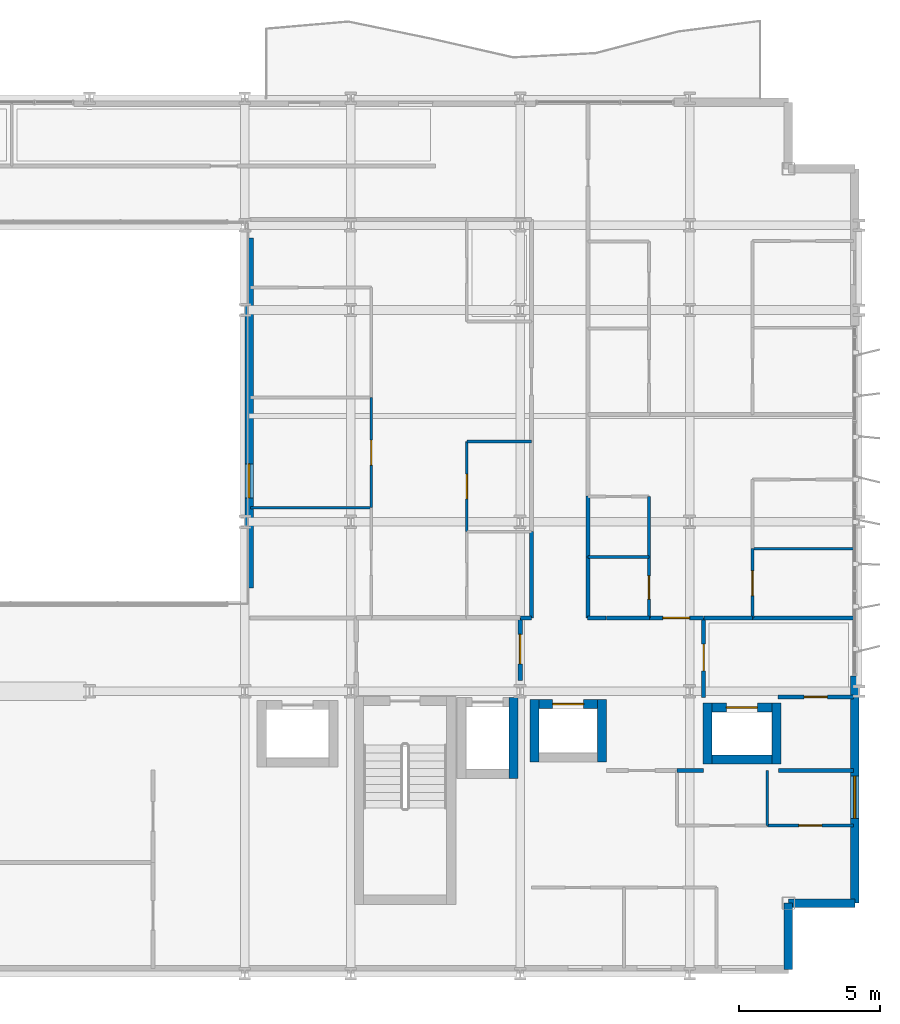
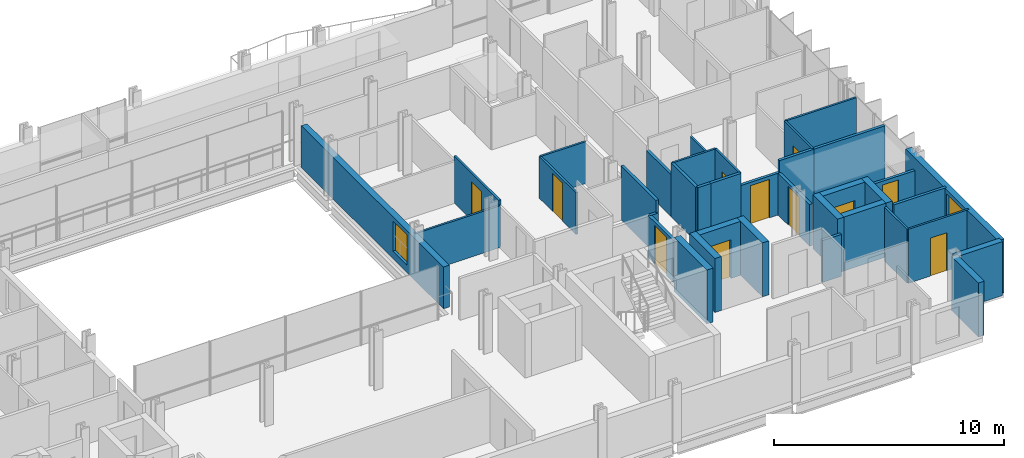
# One storey, part 31 of 38: 37 walls, 11 doors, 2 windows, 13 openings.
"""IFC4 building model written with IfcOpenShell, lengths in metres."""

from ifc_helpers import new_model, si_unit, direction, frame, frame_2d, origin, place, context, subcontext, project, spatial, rectangle, extrude, material, layer, layer_set, type_object, element, fill, save


model = new_model("IFC4")

# Units and contexts
model_context = context("Model", 3, precision=1e-05, world=origin(), true_north=direction((0.0, 1.0)))
body_context = subcontext(model_context, "Body", "Model", "MODEL_VIEW")
ifc_project = project(units=[si_unit("LENGTHUNIT", "METRE"), si_unit("AREAUNIT", "SQUARE_METRE"), si_unit("VOLUMEUNIT", "CUBIC_METRE"), si_unit("PLANEANGLEUNIT", "RADIAN"), si_unit("MASSUNIT", "GRAM", prefix="KILO")], contexts=[model_context])

# Site, building, storey
site_placement = place(None, origin())
site = spatial("IfcSite", under=ifc_project, at=site_placement, CompositionType="ELEMENT")
building_placement = place(site_placement, origin())
building = spatial("IfcBuilding", under=site, at=building_placement, Name="Brevholm Reach", CompositionType="ELEMENT")
storey_placement = place(building_placement, frame((0.0, 0.0, 46.60009765625)))
storey = spatial("IfcBuildingStorey", under=building, at=storey_placement, Name="L12", CompositionType="ELEMENT", Elevation=46.60009765625)

# Walls
ifc_material_1 = material(Name="Concrete C60/75", Category="concrete")
ifc_layer_1 = layer(ifc_material_1, 0.320068359375)
ifc_layer_set_1 = layer_set([ifc_layer_1], Name="Concrete C60/75")
wall_type_1 = type_object("IfcWallType", Name="WAL-COR-320", PredefinedType="SHEAR", material=ifc_layer_set_1)
wall_1_placement = place(storey_placement, frame((47.77001953125, 6.919921875, 0.0), z_axis=(0.0, 0.0, 1.0), x_axis=(0.0, 1.0, 0.0)))
element("IfcWall", 1, at=wall_1_placement, inside=storey, type_object=wall_type_1, Name="L12 Lift FFL-2 Shaft Wall E", PredefinedType="SHEAR", context=body_context, shape_type="SweptSolid", body=[
    extrude(rectangle(XDim=2.860107421875, YDim=0.320068359375, at=frame_2d((1.43017578125, 0.0))), origin(), (0.0, 0.0, 1.0), 2.869873046875),
])
for number, where, z_axis, x_axis, name in (
    (2, (48.5048828125, 7.4951171875, 0.0), (0.0, 0.0, 1.0), (0.0, 1.0, 0.0), "L12 Lift PL-L1 Shaft Wall W"),
    (3, (50.89501953125, 7.4951171875, 0.0), (0.0, 0.0, 1.0), (0.0, 1.0, 0.0), "L12 Lift PL-L1 Shaft Wall E"),
):
    element("IfcWall", number, at=place(storey_placement, frame(where, z_axis=z_axis, x_axis=x_axis)), inside=storey, type_object=wall_type_1, Name=name, PredefinedType="SHEAR", context=body_context, shape_type="SweptSolid", body=[
        extrude(rectangle(XDim=2.2099609375, YDim=0.320068359375, at=frame_2d((1.10498046875, 0.0))), origin(), (0.0, 0.0, 1.0), 2.869873046875),
    ])

# Wall, opening, door
wall_2_placement = place(storey_placement, frame((48.6650390625, 9.544921875, 0.0), z_axis=(0.0, 0.0, 1.0), x_axis=(1.0, 0.0, 0.0)))
wall_2 = element("IfcWall", 4, at=wall_2_placement, inside=storey, type_object=wall_type_1, Name="L12 Lift PL-L1 Shaft Wall N", PredefinedType="SHEAR", context=body_context, shape_type="SweptSolid", body=[
    extrude(rectangle(XDim=2.070068359375, YDim=0.320068359375, at=frame_2d((1.03515625, 0.0))), origin(), (0.0, 0.0, 1.0), 2.869873046875),
])
opening_1_placement = place(wall_2_placement, frame((0.485107421875, 0.0, 0.0)))
opening_1 = element("IfcOpeningElement", 5, at=opening_1_placement, cuts=wall_2, Name="Opening LD-PL-L1", PredefinedType="OPENING", context=body_context, shape_type="SweptSolid", body=[
    extrude(rectangle(XDim=1.10009765625, YDim=2.06005859375, at=frame_2d((0.550048828125, 1.030029296875))), frame((0.0, 0.169921875, 0.0), z_axis=(0.0, -1.0, 0.0), x_axis=(1.0, 0.0, 0.0)), (0.0, 0.0, 1.0), 0.340087890625),
])
ifc_material_2 = material(Name="Brushed Stainless Steel Fire-Rated Sliding Lift Door", Category="steel")
door_type_1 = type_object("IfcDoorType", Name="DOR-LFT-1100", OperationType="NOTDEFINED", PredefinedType="DOOR", material=ifc_material_2)
door_1_placement = place(opening_1_placement, origin())
door_1 = element("IfcDoor", 6, at=door_1_placement, inside=storey, type_object=door_type_1, Name="L12 Lift PL-L1 Sliding Landing Door", OperationType="SLIDING_TO_RIGHT", OverallHeight=2.06005859375, OverallWidth=1.10009765625, PredefinedType="DOOR", context=body_context, shape_type="SweptSolid", body=[
    extrude(rectangle(XDim=1.10009765625, YDim=2.06005859375, at=frame_2d((0.550048828125, 1.030029296875))), frame((0.0, 0.02490234375, 0.0), z_axis=(0.0, -1.0, 0.0), x_axis=(1.0, 0.0, 0.0)), (0.0, 0.0, 1.0), 0.050048828125),
])
fill(opening_1, door_1)

# Walls
for number, where, z_axis, x_axis, name in (
    (7, (54.6298828125, 7.419921875, 0.0), (0.0, 0.0, 1.0), (0.0, 1.0, 0.0), "L12 Lift PL-L2 Shaft Wall W"),
    (8, (57.070068359375, 7.419921875, 0.0), (0.0, 0.0, 1.0), (0.0, 1.0, 0.0), "L12 Lift PL-L2 Shaft Wall E"),
):
    element("IfcWall", number, at=place(storey_placement, frame(where, z_axis=z_axis, x_axis=x_axis)), inside=storey, type_object=wall_type_1, Name=name, PredefinedType="SHEAR", context=body_context, shape_type="SweptSolid", body=[
        extrude(rectangle(XDim=2.16015625, YDim=0.320068359375, at=frame_2d((1.080078125, 0.0))), origin(), (0.0, 0.0, 1.0), 2.869873046875),
    ])
wall_3_placement = place(storey_placement, frame((54.7900390625, 7.580078125, 0.0), z_axis=(0.0, 0.0, 1.0), x_axis=(1.0, 0.0, 0.0)))
element("IfcWall", 9, at=wall_3_placement, inside=storey, type_object=wall_type_1, Name="L12 Lift PL-L2 Shaft Wall S", PredefinedType="SHEAR", context=body_context, shape_type="SweptSolid", body=[
    extrude(rectangle(XDim=2.119873046875, YDim=0.320068359375, at=frame_2d((1.06005859375, 0.0))), origin(), (0.0, 0.0, 1.0), 2.869873046875),
])

# Wall, opening, door
wall_4_placement = place(storey_placement, frame((54.7900390625, 9.419921875, 0.0), z_axis=(0.0, 0.0, 1.0), x_axis=(1.0, 0.0, 0.0)))
wall_4 = element("IfcWall", 10, at=wall_4_placement, inside=storey, type_object=wall_type_1, Name="L12 Lift PL-L2 Shaft Wall N", PredefinedType="SHEAR", context=body_context, shape_type="SweptSolid", body=[
    extrude(rectangle(XDim=2.119873046875, YDim=0.320068359375, at=frame_2d((1.06005859375, 0.0))), origin(), (0.0, 0.0, 1.0), 2.869873046875),
])
opening_2_placement = place(wall_4_placement, frame((0.510009765625, 0.0, 0.0)))
opening_2 = element("IfcOpeningElement", 11, at=opening_2_placement, cuts=wall_4, Name="Opening LD-PL-L2", PredefinedType="OPENING", context=body_context, shape_type="SweptSolid", body=[
    extrude(rectangle(XDim=1.10009765625, YDim=2.06005859375, at=frame_2d((0.550048828125, 1.030029296875))), frame((0.0, 0.169921875, 0.0), z_axis=(0.0, -1.0, 0.0), x_axis=(1.0, 0.0, 0.0)), (0.0, 0.0, 1.0), 0.340087890625),
])
door_2_placement = place(opening_2_placement, origin())
door_2 = element("IfcDoor", 12, at=door_2_placement, inside=storey, type_object=door_type_1, Name="L12 Lift PL-L2 Sliding Landing Door", OperationType="SLIDING_TO_LEFT", OverallHeight=2.06005859375, OverallWidth=1.10009765625, PredefinedType="DOOR", context=body_context, shape_type="SweptSolid", body=[
    extrude(rectangle(XDim=1.10009765625, YDim=2.06005859375, at=frame_2d((0.550048828125, 1.030029296875))), frame((0.0, 0.02490234375, 0.0), z_axis=(0.0, -1.0, 0.0), x_axis=(1.0, 0.0, 0.0)), (0.0, 0.0, 1.0), 0.050048828125),
])
fill(opening_2, door_2)

# Walls
ifc_material_3 = material(Name="Concrete C40/50", Category="concrete")
ifc_layer_2 = layer(ifc_material_3, 0.300048828125)
ifc_layer_set_2 = layer_set([ifc_layer_2], Name="Concrete C40/50")
wall_type_2 = type_object("IfcWallType", Name="WAL-EXT-300", PredefinedType="STANDARD", material=ifc_layer_set_2)
for number, where, z_axis, x_axis, name in (
    (13, (57.5, 0.14990234375, 0.0), (0.0, 0.0, 1.0), (0.0, 1.0, 0.0), "L12 Facade Wall WAL-L12-CSE1"),
    (14, (57.5, 2.5, 0.0), (0.0, 0.0, 1.0), (1.0, 0.0, 0.0), "L12 Facade Wall WAL-L12-CSE2"),
):
    element("IfcWall", number, at=place(storey_placement, frame(where, z_axis=z_axis, x_axis=x_axis)), inside=storey, type_object=wall_type_2, Name=name, PredefinedType="STANDARD", context=body_context, shape_type="SweptSolid", body=[
        extrude(rectangle(XDim=2.35009765625, YDim=0.300048828125, at=frame_2d((1.175048828125, 0.0))), origin(), (0.0, 0.0, 1.0), 2.869873046875),
    ])

# Wall, opening, window
wall_5_placement = place(storey_placement, frame((59.85009765625, 2.5, 0.0), z_axis=(0.0, 0.0, 1.0), x_axis=(0.0, 1.0, 0.0)))
wall_5 = element("IfcWall", 15, at=wall_5_placement, inside=storey, type_object=wall_type_2, Name="L12 Facade Wall WAL-L12-E-S", PredefinedType="STANDARD", context=body_context, shape_type="SweptSolid", body=[
    extrude(rectangle(XDim=8.050048828125, YDim=0.300048828125, at=frame_2d((4.02490234375, 0.0))), origin(), (0.0, 0.0, 1.0), 2.869873046875),
])
opening_3_placement = place(wall_5_placement, frame((3.0, 0.0, 0.85009765625)))
opening_3 = element("IfcOpeningElement", 16, at=opening_3_placement, cuts=wall_5, Name="Opening WN-05", PredefinedType="OPENING", context=body_context, shape_type="SweptSolid", body=[
    extrude(rectangle(XDim=1.5, YDim=1.800048828125, at=frame_2d((0.75, 0.89990234375))), frame((0.0, 0.159912109375, 0.0), z_axis=(0.0, -1.0, 0.0), x_axis=(1.0, 0.0, 0.0)), (0.0, 0.0, 1.0), 0.320068359375),
])
ifc_material_4 = material(Name="Dark Anodised Aluminium and Solar-Control IGU Glass", Category="aluminium")
window_type_1 = type_object("IfcWindowType", Name="WIN-RES-1500", PartitioningType="SINGLE_PANEL", PredefinedType="WINDOW", material=ifc_material_4)
window_1_placement = place(opening_3_placement, origin())
window_1 = element("IfcWindow", 17, at=window_1_placement, inside=storey, type_object=window_type_1, Name="L12 Window WIN-L12-ES-1", OverallHeight=1.800048828125, OverallWidth=1.5, PartitioningType="SINGLE_PANEL", PredefinedType="WINDOW", context=body_context, shape_type="SweptSolid", body=[
    extrude(rectangle(XDim=1.5, YDim=1.800048828125, at=frame_2d((0.75, 0.89990234375))), frame((0.0, 0.030029296875, 0.0), z_axis=(0.0, -1.0, 0.0), x_axis=(1.0, 0.0, 0.0)), (0.0, 0.0, 1.0), 0.06005859375),
])
fill(opening_3, window_1)

wall_6_placement = place(storey_placement, frame((38.39990234375, 13.64990234375, 0.0), z_axis=(0.0, 0.0, 1.0), x_axis=(0.0, 1.0, 0.0)))
wall_6 = element("IfcWall", 18, at=wall_6_placement, inside=storey, type_object=wall_type_2, Name="L12 Facade Wall WAL-L12-AT-E", PredefinedType="STANDARD", context=body_context, shape_type="SweptSolid", body=[
    extrude(rectangle(XDim=12.400146484375, YDim=0.300048828125, at=frame_2d((6.2001953125, 0.0))), origin(), (0.0, 0.0, 1.0), 2.224609375),
])
opening_4_placement = place(wall_6_placement, frame((3.199951171875, 0.0, 0.405029296875)))
opening_4 = element("IfcOpeningElement", 19, at=opening_4_placement, cuts=wall_6, Name="Opening WN-08", PredefinedType="OPENING", context=body_context, shape_type="SweptSolid", body=[
    extrude(rectangle(XDim=1.199951171875, YDim=1.60009765625, at=frame_2d((0.60009765625, 0.800048828125))), frame((0.0, 0.159912109375, 0.0), z_axis=(0.0, -1.0, 0.0), x_axis=(1.0, 0.0, 0.0)), (0.0, 0.0, 1.0), 0.320068359375),
])
ifc_material_5 = material(Name="Dark Anodised Aluminium and Solar-Control IGU Glass", Category="aluminium")
window_type_2 = type_object("IfcWindowType", Name="WIN-RES-1200", PartitioningType="SINGLE_PANEL", PredefinedType="WINDOW", material=ifc_material_5)
window_2_placement = place(opening_4_placement, origin())
window_2 = element("IfcWindow", 20, at=window_2_placement, inside=storey, type_object=window_type_2, Name="L12 Window WIN-L12-AT-E1", OverallHeight=1.60009765625, OverallWidth=1.199951171875, PartitioningType="SINGLE_PANEL", PredefinedType="WINDOW", context=body_context, shape_type="SweptSolid", body=[
    extrude(rectangle(XDim=1.199951171875, YDim=1.60009765625, at=frame_2d((0.60009765625, 0.800048828125))), frame((0.0, 0.030029296875, 0.0), z_axis=(0.0, -1.0, 0.0), x_axis=(1.0, 0.0, 0.0)), (0.0, 0.0, 1.0), 0.06005859375),
])
fill(opening_4, window_2)

# Wall
ifc_material_6 = material(Name="Moisture-Resistant Acoustic Gypsum Stud Partition 100 mm", Category="gypsum")
ifc_layer_3 = layer(ifc_material_6, 0.10009765625)
ifc_layer_set_3 = layer_set([ifc_layer_3], Name="Moisture-Resistant Acoustic Gypsum Stud Partition 100 mm")
wall_type_3 = type_object("IfcWallType", Name="WAL-PRT-100", PredefinedType="PARTITIONING", material=ifc_layer_set_3)
wall_7_placement = place(storey_placement, frame((56.75, 5.25, 0.0), z_axis=(0.0, 0.0, 1.0), x_axis=(0.0, 1.0, 0.0)))
element("IfcWall", 21, at=wall_7_placement, inside=storey, type_object=wall_type_3, Name="L12 Internal Partition 081", PredefinedType="PARTITIONING", context=body_context, shape_type="SweptSolid", body=[
    extrude(rectangle(XDim=1.949951171875, YDim=0.10009765625, at=frame_2d((0.97509765625, 0.0))), origin(), (0.0, 0.0, 1.0), 2.869873046875),
])

# Wall, opening, door
wall_8_placement = place(storey_placement, frame((56.75, 5.25, 0.0), z_axis=(0.0, 0.0, 1.0), x_axis=(1.0, 0.0, 0.0)))
wall_8 = element("IfcWall", 22, at=wall_8_placement, inside=storey, type_object=wall_type_3, Name="L12 Internal Partition 082", PredefinedType="PARTITIONING", context=body_context, shape_type="SweptSolid", body=[
    extrude(rectangle(XDim=3.050048828125, YDim=0.10009765625, at=frame_2d((1.52490234375, 0.0))), origin(), (0.0, 0.0, 1.0), 2.869873046875),
])
opening_5_placement = place(wall_8_placement, frame((1.114990234375, 0.0, 0.0)))
opening_5 = element("IfcOpeningElement", 23, at=opening_5_placement, cuts=wall_8, Name="Opening ID-03", PredefinedType="OPENING", context=body_context, shape_type="SweptSolid", body=[
    extrude(rectangle(XDim=0.820068359375, YDim=2.02001953125, at=frame_2d((0.41015625, 1.010009765625))), frame((0.0, 0.06005859375, 0.0), z_axis=(0.0, -1.0, 0.0), x_axis=(1.0, 0.0, 0.0)), (0.0, 0.0, 1.0), 0.1201171875),
])
ifc_material_7 = material(Name="Moisture-Resistant Painted Timber Internal Bathroom Door", Category="wood")
door_type_2 = type_object("IfcDoorType", Name="DOR-BATH-820", OperationType="NOTDEFINED", PredefinedType="DOOR", material=ifc_material_7)
door_3_placement = place(opening_5_placement, origin())
door_3 = element("IfcDoor", 24, at=door_3_placement, inside=storey, type_object=door_type_2, Name="L12 Internal Door 027", OperationType="SINGLE_SWING_LEFT", OverallHeight=2.02001953125, OverallWidth=0.820068359375, PredefinedType="DOOR", context=body_context, shape_type="SweptSolid", body=[
    extrude(rectangle(XDim=0.820068359375, YDim=2.02001953125, at=frame_2d((0.41015625, 1.010009765625))), frame((0.0, 0.02490234375, 0.0), z_axis=(0.0, -1.0, 0.0), x_axis=(1.0, 0.0, 0.0)), (0.0, 0.0, 1.0), 0.050048828125),
])
fill(opening_5, door_3)

# Wall
wall_9_placement = place(storey_placement, frame((46.112060546875, 18.85009765625, 0.0), z_axis=(0.0, 0.0, 1.0), x_axis=(1.0, 0.0, 0.0)))
element("IfcWall", 25, at=wall_9_placement, inside=storey, type_object=wall_type_3, Name="L12 Internal Partition 126", PredefinedType="PARTITIONING", context=body_context, shape_type="SweptSolid", body=[
    extrude(rectangle(XDim=2.283935546875, YDim=0.10009765625, at=frame_2d((1.14208984375, 0.0))), origin(), (0.0, 0.0, 1.0), 2.224609375),
])

# Wall, opening, door
wall_10_placement = place(storey_placement, frame((46.112060546875, 15.654052734375, 0.0), z_axis=(0.0, 0.0, 1.0), x_axis=(0.0, 1.0, 0.0)))
wall_10 = element("IfcWall", 26, at=wall_10_placement, inside=storey, type_object=wall_type_3, Name="L12 Internal Partition 127", PredefinedType="PARTITIONING", context=body_context, shape_type="SweptSolid", body=[
    extrude(rectangle(XDim=3.196044921875, YDim=0.10009765625, at=frame_2d((1.59814453125, 0.0))), origin(), (0.0, 0.0, 1.0), 2.224609375),
])
opening_6_placement = place(wall_10_placement, frame((1.157958984375, 0.0, 0.0)))
opening_6 = element("IfcOpeningElement", 27, at=opening_6_placement, cuts=wall_10, Name="Opening ID-01", PredefinedType="OPENING", context=body_context, shape_type="SweptSolid", body=[
    extrude(rectangle(XDim=0.8798828125, YDim=2.0400390625, at=frame_2d((0.43994140625, 1.02001953125))), frame((0.0, 0.06005859375, 0.0), z_axis=(0.0, -1.0, 0.0), x_axis=(1.0, 0.0, 0.0)), (0.0, 0.0, 1.0), 0.1201171875),
])
ifc_material_8 = material(Name="Lacquered Ash Solid-Core Acoustic Internal Door", Category="timber")
door_type_3 = type_object("IfcDoorType", Name="DOR-INT-880", OperationType="NOTDEFINED", PredefinedType="DOOR", material=ifc_material_8)
door_4_placement = place(opening_6_placement, origin())
door_4 = element("IfcDoor", 28, at=door_4_placement, inside=storey, type_object=door_type_3, Name="L12 Internal Door 047", OperationType="SINGLE_SWING_LEFT", OverallHeight=2.0400390625, OverallWidth=0.8798828125, PredefinedType="DOOR", context=body_context, shape_type="SweptSolid", body=[
    extrude(rectangle(XDim=0.8798828125, YDim=2.0400390625, at=frame_2d((0.43994140625, 1.02001953125))), frame((0.0, 0.02490234375, 0.0), z_axis=(0.0, -1.0, 0.0), x_axis=(1.0, 0.0, 0.0)), (0.0, 0.0, 1.0), 0.050048828125),
])
fill(opening_6, door_4)

# Wall
wall_11_placement = place(storey_placement, frame((38.449951171875, 16.5, 0.0), z_axis=(0.0, 0.0, 1.0), x_axis=(1.0, 0.0, 0.0)))
element("IfcWall", 29, at=wall_11_placement, inside=storey, type_object=wall_type_3, Name="L12 Internal Partition 130", PredefinedType="PARTITIONING", context=body_context, shape_type="SweptSolid", body=[
    extrude(rectangle(XDim=4.278076171875, YDim=0.10009765625, at=frame_2d((2.13916015625, 0.0))), origin(), (0.0, 0.0, 1.0), 2.224609375),
])

# Wall, opening, door
wall_12_placement = place(storey_placement, frame((42.72802734375, 16.50390625, 0.0), z_axis=(0.0, 0.0, 1.0), x_axis=(0.0, 1.0, 0.0)))
wall_12 = element("IfcWall", 30, at=wall_12_placement, inside=storey, type_object=wall_type_3, Name="L12 Internal Partition 133", PredefinedType="PARTITIONING", context=body_context, shape_type="SweptSolid", body=[
    extrude(rectangle(XDim=3.89599609375, YDim=0.10009765625, at=frame_2d((1.947998046875, 0.0))), origin(), (0.0, 0.0, 1.0), 2.489990234375),
])
opening_7_placement = place(wall_12_placement, frame((1.508056640625, 0.0, 0.0)))
opening_7 = element("IfcOpeningElement", 31, at=opening_7_placement, cuts=wall_12, Name="Opening ID-01", PredefinedType="OPENING", context=body_context, shape_type="SweptSolid", body=[
    extrude(rectangle(XDim=0.8798828125, YDim=2.0400390625, at=frame_2d((0.43994140625, 1.02001953125))), frame((0.0, 0.06005859375, 0.0), z_axis=(0.0, -1.0, 0.0), x_axis=(1.0, 0.0, 0.0)), (0.0, 0.0, 1.0), 0.1201171875),
])
door_5_placement = place(opening_7_placement, origin())
door_5 = element("IfcDoor", 32, at=door_5_placement, inside=storey, type_object=door_type_3, Name="L12 Internal Door 050", OperationType="SINGLE_SWING_RIGHT", OverallHeight=2.0400390625, OverallWidth=0.8798828125, PredefinedType="DOOR", context=body_context, shape_type="SweptSolid", body=[
    extrude(rectangle(XDim=0.8798828125, YDim=2.0400390625, at=frame_2d((0.43994140625, 1.02001953125))), frame((0.0, 0.02490234375, 0.0), z_axis=(0.0, -1.0, 0.0), x_axis=(1.0, 0.0, 0.0)), (0.0, 0.0, 1.0), 0.050048828125),
])
fill(opening_7, door_5)

# Wall
wall_13_placement = place(storey_placement, frame((50.404052734375, 14.75, 0.0), z_axis=(0.0, 0.0, 1.0), x_axis=(1.0, 0.0, 0.0)))
element("IfcWall", 33, at=wall_13_placement, inside=storey, type_object=wall_type_3, Name="L12 Internal Partition 136", PredefinedType="PARTITIONING", context=body_context, shape_type="SweptSolid", body=[
    extrude(rectangle(XDim=2.157958984375, YDim=0.10009765625, at=frame_2d((1.0791015625, 0.0))), origin(), (0.0, 0.0, 1.0), 2.869873046875),
])

# Wall, opening, door
wall_14_placement = place(storey_placement, frame((52.56201171875, 12.60400390625, 0.0), z_axis=(0.0, 0.0, 1.0), x_axis=(0.0, 1.0, 0.0)))
wall_14 = element("IfcWall", 34, at=wall_14_placement, inside=storey, type_object=wall_type_3, Name="L12 Internal Partition 137", PredefinedType="PARTITIONING", context=body_context, shape_type="SweptSolid", body=[
    extrude(rectangle(XDim=2.14599609375, YDim=0.10009765625, at=frame_2d((1.072998046875, 0.0))), origin(), (0.0, 0.0, 1.0), 2.869873046875),
])
opening_8_placement = place(wall_14_placement, frame((0.6630859375, 0.0, 0.0)))
opening_8 = element("IfcOpeningElement", 35, at=opening_8_placement, cuts=wall_14, Name="Opening ID-03", PredefinedType="OPENING", context=body_context, shape_type="SweptSolid", body=[
    extrude(rectangle(XDim=0.820068359375, YDim=2.02001953125, at=frame_2d((0.41015625, 1.010009765625))), frame((0.0, 0.06005859375, 0.0), z_axis=(0.0, -1.0, 0.0), x_axis=(1.0, 0.0, 0.0)), (0.0, 0.0, 1.0), 0.1201171875),
])
door_6_placement = place(opening_8_placement, origin())
door_6 = element("IfcDoor", 36, at=door_6_placement, inside=storey, type_object=door_type_2, Name="L12 Internal Door 052", OperationType="SINGLE_SWING_RIGHT", OverallHeight=2.02001953125, OverallWidth=0.820068359375, PredefinedType="DOOR", context=body_context, shape_type="SweptSolid", body=[
    extrude(rectangle(XDim=0.820068359375, YDim=2.02001953125, at=frame_2d((0.41015625, 1.010009765625))), frame((0.0, 0.02490234375, 0.0), z_axis=(0.0, -1.0, 0.0), x_axis=(1.0, 0.0, 0.0)), (0.0, 0.0, 1.0), 0.050048828125),
])
fill(opening_8, door_6)

# Walls
wall_15_placement = place(storey_placement, frame((52.56201171875, 14.75390625, 0.0), z_axis=(0.0, 0.0, 1.0), x_axis=(0.0, 1.0, 0.0)))
element("IfcWall", 37, at=wall_15_placement, inside=storey, type_object=wall_type_3, Name="L12 Internal Partition 138", PredefinedType="PARTITIONING", context=body_context, shape_type="SweptSolid", body=[
    extrude(rectangle(XDim=2.14599609375, YDim=0.10009765625, at=frame_2d((1.072998046875, 0.0))), origin(), (0.0, 0.0, 1.0), 2.224609375),
])
wall_16_placement = place(storey_placement, frame((56.22802734375, 15.050048828125, 0.0), z_axis=(0.0, 0.0, 1.0), x_axis=(1.0, 0.0, 0.0)))
element("IfcWall", 38, at=wall_16_placement, inside=storey, type_object=wall_type_3, Name="L12 Internal Partition 140", PredefinedType="PARTITIONING", context=body_context, shape_type="SweptSolid", body=[
    extrude(rectangle(XDim=3.572021484375, YDim=0.10009765625, at=frame_2d((1.7861328125, 0.0))), origin(), (0.0, 0.0, 1.0), 2.869873046875),
])

# Wall, opening, door
wall_17_placement = place(storey_placement, frame((56.22802734375, 12.60400390625, 0.0), z_axis=(0.0, 0.0, 1.0), x_axis=(0.0, 1.0, 0.0)))
wall_17 = element("IfcWall", 39, at=wall_17_placement, inside=storey, type_object=wall_type_3, Name="L12 Internal Partition 141", PredefinedType="PARTITIONING", context=body_context, shape_type="SweptSolid", body=[
    extrude(rectangle(XDim=2.446044921875, YDim=0.10009765625, at=frame_2d((1.22314453125, 0.0))), origin(), (0.0, 0.0, 1.0), 2.869873046875),
])
opening_9_placement = place(wall_17_placement, frame((0.782958984375, 0.0, 0.0)))
opening_9 = element("IfcOpeningElement", 40, at=opening_9_placement, cuts=wall_17, Name="Opening ID-01", PredefinedType="OPENING", context=body_context, shape_type="SweptSolid", body=[
    extrude(rectangle(XDim=0.8798828125, YDim=2.0400390625, at=frame_2d((0.43994140625, 1.02001953125))), frame((0.0, 0.06005859375, 0.0), z_axis=(0.0, -1.0, 0.0), x_axis=(1.0, 0.0, 0.0)), (0.0, 0.0, 1.0), 0.1201171875),
])
door_7_placement = place(opening_9_placement, origin())
door_7 = element("IfcDoor", 41, at=door_7_placement, inside=storey, type_object=door_type_3, Name="L12 Internal Door 054", OperationType="SINGLE_SWING_RIGHT", OverallHeight=2.0400390625, OverallWidth=0.8798828125, PredefinedType="DOOR", context=body_context, shape_type="SweptSolid", body=[
    extrude(rectangle(XDim=0.8798828125, YDim=2.0400390625, at=frame_2d((0.43994140625, 1.02001953125))), frame((0.0, 0.02490234375, 0.0), z_axis=(0.0, -1.0, 0.0), x_axis=(1.0, 0.0, 0.0)), (0.0, 0.0, 1.0), 0.050048828125),
])
fill(opening_9, door_7)

ifc_material_9 = material(Name="Twin-Stud Acoustic Fire-Rated Gypsum Partition 140 mm", Category="gypsum")
ifc_layer_4 = layer(ifc_material_9, 0.139892578125)
ifc_layer_set_4 = layer_set([ifc_layer_4], Name="Twin-Stud Acoustic Fire-Rated Gypsum Partition 140 mm")
wall_type_4 = type_object("IfcWallType", Name="WAL-PRT-140", PredefinedType="PARTITIONING", material=ifc_layer_set_4)
wall_18_placement = place(storey_placement, frame((54.5, 9.788818359375, 0.0), z_axis=(0.0, 0.0, 1.0), x_axis=(0.0, 1.0, 0.0)))
wall_18 = element("IfcWall", 42, at=wall_18_placement, inside=storey, type_object=wall_type_4, Name="L12 Internal Partition 009", PredefinedType="PARTITIONING", context=body_context, shape_type="SweptSolid", body=[
    extrude(rectangle(XDim=2.811279296875, YDim=0.139892578125, at=frame_2d((1.40576171875, 0.0))), origin(), (0.0, 0.0, 1.0), 2.224609375),
])
opening_10_placement = place(wall_18_placement, frame((0.9306640625, 0.0, 0.0)))
opening_10 = element("IfcOpeningElement", 43, at=opening_10_placement, cuts=wall_18, Name="Opening ID-30", PredefinedType="OPENING", context=body_context, shape_type="SweptSolid", body=[
    extrude(rectangle(XDim=0.949951171875, YDim=2.050048828125, at=frame_2d((0.47509765625, 1.02490234375))), frame((0.0, 0.079833984375, 0.0), z_axis=(0.0, -1.0, 0.0), x_axis=(1.0, 0.0, 0.0)), (0.0, 0.0, 1.0), 0.159912109375),
])
ifc_material_10 = material(Name="European Oak Veneered Solid-Core Fire Entrance Door", Category="timber")
door_type_4 = type_object("IfcDoorType", Name="DOR-FLT-FD30S", OperationType="NOTDEFINED", PredefinedType="DOOR", material=ifc_material_10)
door_8_placement = place(opening_10_placement, origin())
door_8 = element("IfcDoor", 44, at=door_8_placement, inside=storey, type_object=door_type_4, Name="L12 Internal Door 005", OperationType="SINGLE_SWING_LEFT", OverallHeight=2.050048828125, OverallWidth=0.949951171875, PredefinedType="DOOR", context=body_context, shape_type="SweptSolid", body=[
    extrude(rectangle(XDim=0.949951171875, YDim=2.050048828125, at=frame_2d((0.47509765625, 1.02490234375))), frame((0.0, 0.02490234375, 0.0), z_axis=(0.0, -1.0, 0.0), x_axis=(1.0, 0.0, 0.0)), (0.0, 0.0, 1.0), 0.050048828125),
])
fill(opening_10, door_8)

# Walls
wall_19_placement = place(storey_placement, frame((53.546630859375, 7.199951171875, 0.0), z_axis=(0.0, 0.0, 1.0), x_axis=(1.0, 0.0, 0.0)))
element("IfcWall", 45, at=wall_19_placement, inside=storey, type_object=wall_type_4, Name="L12 Internal Partition 010", PredefinedType="PARTITIONING", context=body_context, shape_type="SweptSolid", body=[
    extrude(rectangle(XDim=0.953369140625, YDim=0.139892578125, at=frame_2d((0.4765625, 0.0))), origin(), (0.0, 0.0, 1.0), 2.224609375),
])
wall_20_placement = place(storey_placement, frame((51.050048828125, 12.60009765625, 0.0), z_axis=(0.0, 0.0, 1.0), x_axis=(1.0, 0.0, 0.0)))
element("IfcWall", 46, at=wall_20_placement, inside=storey, type_object=wall_type_4, Name="L12 Internal Partition 012", PredefinedType="PARTITIONING", context=body_context, shape_type="SweptSolid", body=[
    extrude(rectangle(XDim=1.523193359375, YDim=0.139892578125, at=frame_2d((0.76171875, 0.0))), origin(), (0.0, 0.0, 1.0), 2.869873046875),
])

# Wall, opening, door
wall_21_placement = place(storey_placement, frame((52.5546875, 12.60009765625, 0.0), z_axis=(0.0, 0.0, 1.0), x_axis=(1.0, 0.0, 0.0)))
wall_21 = element("IfcWall", 47, at=wall_21_placement, inside=storey, type_object=wall_type_4, Name="L12 Internal Partition 013", PredefinedType="PARTITIONING", context=body_context, shape_type="SweptSolid", body=[
    extrude(rectangle(XDim=1.9453125, YDim=0.139892578125, at=frame_2d((0.97265625, 0.0))), origin(), (0.0, 0.0, 1.0), 2.224609375),
])
opening_11_placement = place(wall_21_placement, frame((0.497802734375, 0.0, 0.0)))
opening_11 = element("IfcOpeningElement", 48, at=opening_11_placement, cuts=wall_21, Name="Opening ID-30", PredefinedType="OPENING", context=body_context, shape_type="SweptSolid", body=[
    extrude(rectangle(XDim=0.949951171875, YDim=2.050048828125, at=frame_2d((0.47509765625, 1.02490234375))), frame((0.0, 0.079833984375, 0.0), z_axis=(0.0, -1.0, 0.0), x_axis=(1.0, 0.0, 0.0)), (0.0, 0.0, 1.0), 0.159912109375),
])
door_9_placement = place(opening_11_placement, origin())
door_9 = element("IfcDoor", 49, at=door_9_placement, inside=storey, type_object=door_type_4, Name="L12 Internal Door 007", OperationType="SINGLE_SWING_LEFT", OverallHeight=2.050048828125, OverallWidth=0.949951171875, PredefinedType="DOOR", context=body_context, shape_type="SweptSolid", body=[
    extrude(rectangle(XDim=0.949951171875, YDim=2.050048828125, at=frame_2d((0.47509765625, 1.02490234375))), frame((0.0, 0.02490234375, 0.0), z_axis=(0.0, -1.0, 0.0), x_axis=(1.0, 0.0, 0.0)), (0.0, 0.0, 1.0), 0.050048828125),
])
fill(opening_11, door_9)

# Walls
wall_22_placement = place(storey_placement, frame((48.00390625, 12.60009765625, 0.0), z_axis=(0.0, 0.0, 1.0), x_axis=(1.0, 0.0, 0.0)))
element("IfcWall", 50, at=wall_22_placement, inside=storey, type_object=wall_type_4, Name="L12 Internal Partition 032", PredefinedType="PARTITIONING", context=body_context, shape_type="SweptSolid", body=[
    extrude(rectangle(XDim=0.4033203125, YDim=0.139892578125, at=frame_2d((0.20166015625, 0.0))), origin(), (0.0, 0.0, 1.0), 2.224609375),
])
wall_23_placement = place(storey_placement, frame((50.392578125, 12.60009765625, 0.0), z_axis=(0.0, 0.0, 1.0), x_axis=(1.0, 0.0, 0.0)))
element("IfcWall", 51, at=wall_23_placement, inside=storey, type_object=wall_type_4, Name="L12 Internal Partition 033", PredefinedType="PARTITIONING", context=body_context, shape_type="SweptSolid", body=[
    extrude(rectangle(XDim=0.6533203125, YDim=0.139892578125, at=frame_2d((0.32666015625, 0.0))), origin(), (0.0, 0.0, 1.0), 2.869873046875),
])
wall_24_placement = place(storey_placement, frame((48.39990234375, 12.60400390625, 0.0), z_axis=(0.0, 0.0, 1.0), x_axis=(0.0, 1.0, 0.0)))
element("IfcWall", 52, at=wall_24_placement, inside=storey, type_object=wall_type_4, Name="L12 Internal Partition 046", PredefinedType="PARTITIONING", context=body_context, shape_type="SweptSolid", body=[
    extrude(rectangle(XDim=3.057373046875, YDim=0.139892578125, at=frame_2d((1.52880859375, 0.0))), origin(), (0.0, 0.0, 1.0), 2.869873046875),
])
wall_25_placement = place(storey_placement, frame((50.39990234375, 12.60400390625, 0.0), z_axis=(0.0, 0.0, 1.0), x_axis=(0.0, 1.0, 0.0)))
element("IfcWall", 53, at=wall_25_placement, inside=storey, type_object=wall_type_4, Name="L12 Internal Partition 050", PredefinedType="PARTITIONING", context=body_context, shape_type="SweptSolid", body=[
    extrude(rectangle(XDim=2.1572265625, YDim=0.139892578125, at=frame_2d((1.07861328125, 0.0))), origin(), (0.0, 0.0, 1.0), 2.869873046875),
])
wall_26_placement = place(storey_placement, frame((50.39990234375, 14.74267578125, 0.0), z_axis=(0.0, 0.0, 1.0), x_axis=(0.0, 1.0, 0.0)))
element("IfcWall", 54, at=wall_26_placement, inside=storey, type_object=wall_type_4, Name="L12 Internal Partition 051", PredefinedType="PARTITIONING", context=body_context, shape_type="SweptSolid", body=[
    extrude(rectangle(XDim=2.168701171875, YDim=0.139892578125, at=frame_2d((1.08447265625, 0.0))), origin(), (0.0, 0.0, 1.0), 2.224609375),
])

# Wall, opening, door
wall_27_placement = place(storey_placement, frame((57.138671875, 9.800048828125, 0.0), z_axis=(0.0, 0.0, 1.0), x_axis=(1.0, 0.0, 0.0)))
wall_27 = element("IfcWall", 55, at=wall_27_placement, inside=storey, type_object=wall_type_4, Name="L12 Internal Partition 077", PredefinedType="PARTITIONING", context=body_context, shape_type="SweptSolid", body=[
    extrude(rectangle(XDim=2.661376953125, YDim=0.139892578125, at=frame_2d((1.33056640625, 0.0))), origin(), (0.0, 0.0, 1.0), 2.224609375),
])
opening_12_placement = place(wall_27_placement, frame((0.920654296875, 0.0, 0.0)))
opening_12 = element("IfcOpeningElement", 56, at=opening_12_placement, cuts=wall_27, Name="Opening ID-02", PredefinedType="OPENING", context=body_context, shape_type="SweptSolid", body=[
    extrude(rectangle(XDim=0.820068359375, YDim=2.02001953125, at=frame_2d((0.41015625, 1.010009765625))), frame((0.0, 0.079833984375, 0.0), z_axis=(0.0, -1.0, 0.0), x_axis=(1.0, 0.0, 0.0)), (0.0, 0.0, 1.0), 0.159912109375),
])
ifc_material_11 = material(Name="Moisture-Resistant Painted Timber Fire-Rated Riser and Service Door", Category="wood")
door_type_5 = type_object("IfcDoorType", Name="DOR-SRV-820", OperationType="NOTDEFINED", PredefinedType="DOOR", material=ifc_material_11)
door_10_placement = place(opening_12_placement, origin())
door_10 = element("IfcDoor", 57, at=door_10_placement, inside=storey, type_object=door_type_5, Name="L12 Access Door 061", OperationType="SINGLE_SWING_LEFT", OverallHeight=2.02001953125, OverallWidth=0.820068359375, PredefinedType="DOOR", context=body_context, shape_type="SweptSolid", body=[
    extrude(rectangle(XDim=0.820068359375, YDim=2.02001953125, at=frame_2d((0.41015625, 1.010009765625))), frame((0.0, 0.02490234375, 0.0), z_axis=(0.0, -1.0, 0.0), x_axis=(1.0, 0.0, 0.0)), (0.0, 0.0, 1.0), 0.050048828125),
])
fill(opening_12, door_10)

# Walls
wall_28_placement = place(storey_placement, frame((56.216796875, 12.60009765625, 0.0), z_axis=(0.0, 0.0, 1.0), x_axis=(1.0, 0.0, 0.0)))
element("IfcWall", 58, at=wall_28_placement, inside=storey, type_object=wall_type_4, Name="L12 Internal Partition 078", PredefinedType="PARTITIONING", context=body_context, shape_type="SweptSolid", body=[
    extrude(rectangle(XDim=3.583251953125, YDim=0.139892578125, at=frame_2d((1.79150390625, 0.0))), origin(), (0.0, 0.0, 1.0), 2.869873046875),
])
wall_29_placement = place(storey_placement, frame((54.50390625, 12.60009765625, 0.0), z_axis=(0.0, 0.0, 1.0), x_axis=(1.0, 0.0, 0.0)))
element("IfcWall", 59, at=wall_29_placement, inside=storey, type_object=wall_type_4, Name="L12 Internal Partition 079", PredefinedType="PARTITIONING", context=body_context, shape_type="SweptSolid", body=[
    extrude(rectangle(XDim=1.7314453125, YDim=0.139892578125, at=frame_2d((0.86572265625, 0.0))), origin(), (0.0, 0.0, 1.0), 2.869873046875),
])
wall_30_placement = place(storey_placement, frame((57.14990234375, 7.199951171875, 0.0), z_axis=(0.0, 0.0, 1.0), x_axis=(1.0, 0.0, 0.0)))
element("IfcWall", 60, at=wall_30_placement, inside=storey, type_object=wall_type_4, Name="L12 Internal Partition 080", PredefinedType="PARTITIONING", context=body_context, shape_type="SweptSolid", body=[
    extrude(rectangle(XDim=2.650146484375, YDim=0.139892578125, at=frame_2d((1.3251953125, 0.0))), origin(), (0.0, 0.0, 1.0), 2.869873046875),
])

# Wall, opening, door
ifc_material_12 = material(Name="Twin-Frame Fire-Rated Gypsum Board and Mineral Wool 160 mm", Category="gypsum")
ifc_layer_5 = layer(ifc_material_12, 0.159912109375)
ifc_layer_set_5 = layer_set([ifc_layer_5], Name="Twin-Frame Fire-Rated Gypsum Board and Mineral Wool 160 mm")
wall_type_5 = type_object("IfcWallType", Name="WAL-PRT-160", PredefinedType="PARTITIONING", material=ifc_layer_set_5)
wall_31_placement = place(storey_placement, frame((48.0, 10.388671875, 0.0), z_axis=(0.0, 0.0, 1.0), x_axis=(0.0, 1.0, 0.0)))
wall_31 = element("IfcWall", 61, at=wall_31_placement, inside=storey, type_object=wall_type_5, Name="L12 Internal Partition 021", PredefinedType="PARTITIONING", context=body_context, shape_type="SweptSolid", body=[
    extrude(rectangle(XDim=2.21142578125, YDim=0.159912109375, at=frame_2d((1.105712890625, 0.0))), origin(), (0.0, 0.0, 1.0), 2.224609375),
])
opening_13_placement = place(wall_31_placement, frame((0.58056640625, 0.0, 0.0)))
opening_13 = element("IfcOpeningElement", 62, at=opening_13_placement, cuts=wall_31, Name="Opening FD-01", PredefinedType="OPENING", context=body_context, shape_type="SweptSolid", body=[
    extrude(rectangle(XDim=1.050048828125, YDim=2.06005859375, at=frame_2d((0.52490234375, 1.030029296875))), frame((0.0, 0.08984375, 0.0), z_axis=(0.0, -1.0, 0.0), x_axis=(1.0, 0.0, 0.0)), (0.0, 0.0, 1.0), 0.179931640625),
])
ifc_material_13 = material(Name="Hardwood-Lipped Steel-Core Fire and Smoke Door", Category="steel")
door_type_6 = type_object("IfcDoorType", Name="DOR-INT-FD60S", OperationType="NOTDEFINED", PredefinedType="DOOR", material=ifc_material_13)
door_11_placement = place(opening_13_placement, origin())
door_11 = element("IfcDoor", 63, at=door_11_placement, inside=storey, type_object=door_type_6, Name="L12 Internal Door 011", OperationType="SINGLE_SWING_LEFT", OverallHeight=2.06005859375, OverallWidth=1.050048828125, PredefinedType="DOOR", context=body_context, shape_type="SweptSolid", body=[
    extrude(rectangle(XDim=1.050048828125, YDim=2.06005859375, at=frame_2d((0.52490234375, 1.030029296875))), frame((0.0, 0.02490234375, 0.0), z_axis=(0.0, -1.0, 0.0), x_axis=(1.0, 0.0, 0.0)), (0.0, 0.0, 1.0), 0.050048828125),
])
fill(opening_13, door_11)

save(model, "model.ifc")
